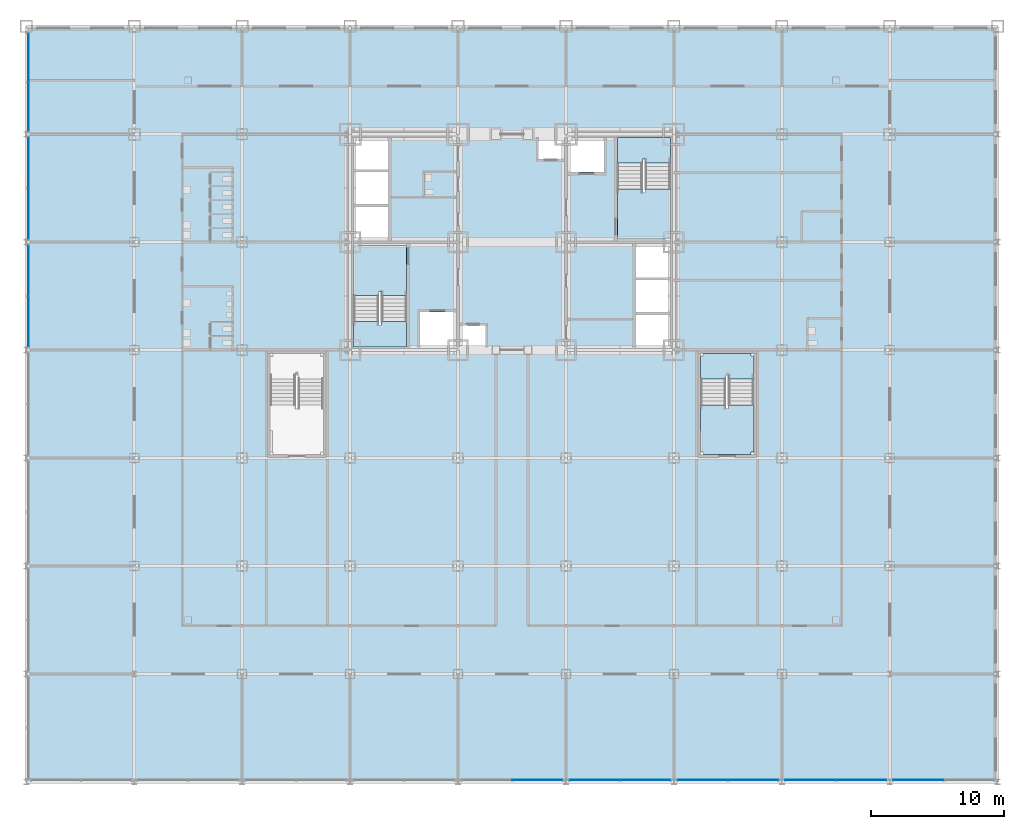
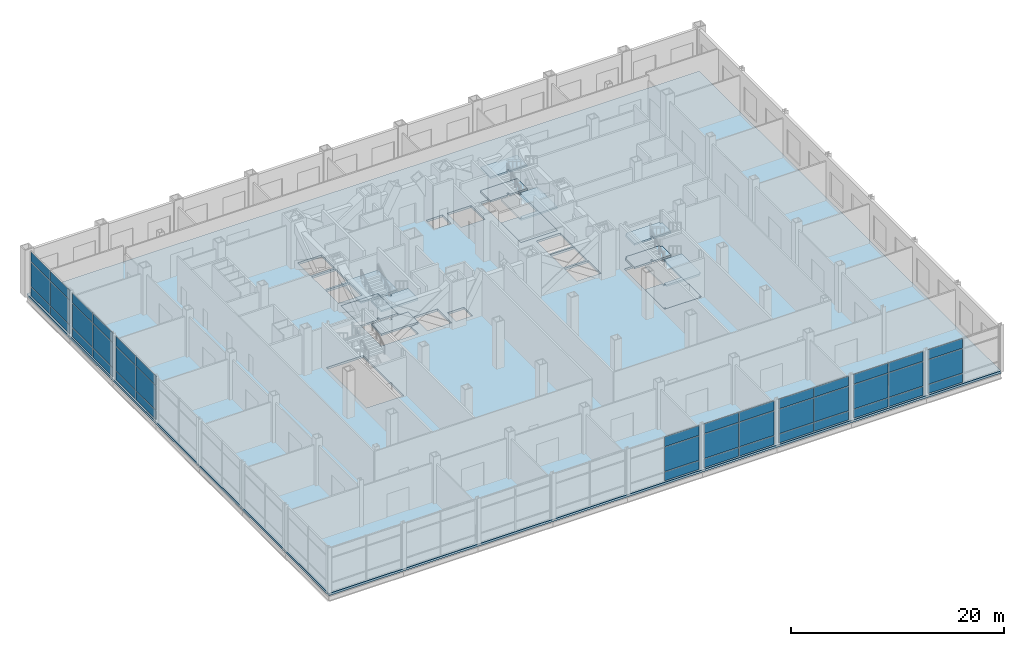
# One storey, part 19 of 30: 42 plates, 13 slabs, 11 elements without a shape of their own.
"""IFC4 building model written with IfcOpenShell, lengths in metres."""

from ifc_helpers import new_model, si_unit, direction, frame, origin, origin_2d, place, context, subcontext, project, spatial, polyline, rectangle, outline, extrude, material, layer, layer_set, type_object, element, aggregate, save


model = new_model("IFC4")

# Units and contexts
model_context = context("Model", 3, precision=1e-05, world=origin(), true_north=direction((0.0, 1.0)))
body_context = subcontext(model_context, "Body", "Model", "MODEL_VIEW")
ifc_project = project(units=[si_unit("LENGTHUNIT", "METRE"), si_unit("AREAUNIT", "SQUARE_METRE"), si_unit("VOLUMEUNIT", "CUBIC_METRE"), si_unit("PLANEANGLEUNIT", "RADIAN"), si_unit("MASSUNIT", "GRAM", prefix="KILO")], contexts=[model_context])

# Site, building, storey
site_placement = place(None, origin())
site = spatial("IfcSite", under=ifc_project, at=site_placement, CompositionType="ELEMENT")
building_placement = place(site_placement, origin())
building = spatial("IfcBuilding", under=site, at=building_placement, Name="Kopane Lantern Tower", CompositionType="ELEMENT")
storey_placement = place(building_placement, frame((0.0, 0.0, 6.0)))
storey = spatial("IfcBuildingStorey", under=building, at=storey_placement, Name="L01", CompositionType="ELEMENT", Elevation=6.0)

# Curtain wall, plates
ifc_material_1 = material(Name="Aluminium and clear glass", Category="aluminium")
curtain_wall_type = type_object("IfcCurtainWallType", Name="CURTAIN WALL CW1 PODIUM STOREFRONT", PredefinedType="USERDEFINED", material=ifc_material_1)
curtain_wall_1_placement = place(storey_placement, origin())
curtain_wall_1 = element("IfcCurtainWall", 1, at=curtain_wall_1_placement, inside=storey, type_object=curtain_wall_type, Name="Curtain wall CW1 S L01", ObjectType="CURTAIN WALL", PredefinedType="USERDEFINED")
ifc_material_2 = material(Name="Insulated clear glass unit", Category="glass")
ifc_layer_1 = layer(ifc_material_2, 0.031982421875)
ifc_layer_set_1 = layer_set([ifc_layer_1], Name="CURTAIN PANEL CW1-P 32")
plate_type = type_object("IfcPlateType", Name="CURTAIN PANEL CW1-P 32", PredefinedType="CURTAIN_PANEL", material=ifc_layer_set_1)
plate_1_placement = place(storey_placement, frame((30.255615234375, -7.949951171875, 0.06494140625), z_axis=(0.0, 0.0, 1.0), x_axis=(1.0, 0.0, 0.0)))
plate_1 = element("IfcPlate", 2, at=plate_1_placement, type_object=plate_type, Name="CW1 panel 2.1", PredefinedType="CURTAIN_PANEL", context=body_context, shape_type="SweptSolid", body=[
    extrude(rectangle(XDim=3.74609375, YDim=0.031982421875, at=origin_2d()), origin(), (0.0, 0.0, 1.0), 1.00244140625),
])
plate_2_placement = place(storey_placement, frame((30.255615234375, -7.949951171875, 1.13232421875), z_axis=(0.0, 0.0, 1.0), x_axis=(1.0, 0.0, 0.0)))
plate_2 = element("IfcPlate", 3, at=plate_2_placement, type_object=plate_type, Name="CW1 panel 2.2", PredefinedType="CURTAIN_PANEL", context=body_context, shape_type="SweptSolid", body=[
    extrude(rectangle(XDim=3.74609375, YDim=0.031982421875, at=origin_2d()), origin(), (0.0, 0.0, 1.0), 2.784912109375),
])
plate_3_placement = place(storey_placement, frame((30.255615234375, -7.949951171875, 3.982421875), z_axis=(0.0, 0.0, 1.0), x_axis=(1.0, 0.0, 0.0)))
plate_3 = element("IfcPlate", 4, at=plate_3_placement, type_object=plate_type, Name="CW1 panel 2.3", PredefinedType="CURTAIN_PANEL", context=body_context, shape_type="SweptSolid", body=[
    extrude(rectangle(XDim=3.74609375, YDim=0.031982421875, at=origin_2d()), origin(), (0.0, 0.0, 1.0), 1.1025390625),
])
aggregate(curtain_wall_1, [plate_1, plate_2, plate_3])

curtain_wall_2_placement = place(storey_placement, origin())
curtain_wall_2 = element("IfcCurtainWall", 5, at=curtain_wall_2_placement, inside=storey, type_object=curtain_wall_type, Name="Curtain wall CW1 S L01", ObjectType="CURTAIN WALL", PredefinedType="USERDEFINED")
plate_4_placement = place(storey_placement, frame((34.54443359375, -7.949951171875, 0.06494140625), z_axis=(0.0, 0.0, 1.0), x_axis=(1.0, 0.0, 0.0)))
plate_4 = element("IfcPlate", 6, at=plate_4_placement, type_object=plate_type, Name="CW1 panel 1.1", PredefinedType="CURTAIN_PANEL", context=body_context, shape_type="SweptSolid", body=[
    extrude(rectangle(XDim=3.74609375, YDim=0.031982421875, at=origin_2d()), origin(), (0.0, 0.0, 1.0), 1.00244140625),
])
plate_5_placement = place(storey_placement, frame((34.54443359375, -7.949951171875, 1.13232421875), z_axis=(0.0, 0.0, 1.0), x_axis=(1.0, 0.0, 0.0)))
plate_5 = element("IfcPlate", 7, at=plate_5_placement, type_object=plate_type, Name="CW1 panel 1.2", PredefinedType="CURTAIN_PANEL", context=body_context, shape_type="SweptSolid", body=[
    extrude(rectangle(XDim=3.74609375, YDim=0.031982421875, at=origin_2d()), origin(), (0.0, 0.0, 1.0), 2.784912109375),
])
plate_6_placement = place(storey_placement, frame((34.54443359375, -7.949951171875, 3.982421875), z_axis=(0.0, 0.0, 1.0), x_axis=(1.0, 0.0, 0.0)))
plate_6 = element("IfcPlate", 8, at=plate_6_placement, type_object=plate_type, Name="CW1 panel 1.3", PredefinedType="CURTAIN_PANEL", context=body_context, shape_type="SweptSolid", body=[
    extrude(rectangle(XDim=3.74609375, YDim=0.031982421875, at=origin_2d()), origin(), (0.0, 0.0, 1.0), 1.1025390625),
])
plate_7_placement = place(storey_placement, frame((38.35546875, -7.949951171875, 0.06494140625), z_axis=(0.0, 0.0, 1.0), x_axis=(1.0, 0.0, 0.0)))
plate_7 = element("IfcPlate", 9, at=plate_7_placement, type_object=plate_type, Name="CW1 panel 2.1", PredefinedType="CURTAIN_PANEL", context=body_context, shape_type="SweptSolid", body=[
    extrude(rectangle(XDim=3.74609375, YDim=0.031982421875, at=origin_2d()), origin(), (0.0, 0.0, 1.0), 1.00244140625),
])
plate_8_placement = place(storey_placement, frame((38.35546875, -7.949951171875, 1.13232421875), z_axis=(0.0, 0.0, 1.0), x_axis=(1.0, 0.0, 0.0)))
plate_8 = element("IfcPlate", 10, at=plate_8_placement, type_object=plate_type, Name="CW1 panel 2.2", PredefinedType="CURTAIN_PANEL", context=body_context, shape_type="SweptSolid", body=[
    extrude(rectangle(XDim=3.74609375, YDim=0.031982421875, at=origin_2d()), origin(), (0.0, 0.0, 1.0), 2.784912109375),
])
plate_9_placement = place(storey_placement, frame((38.35546875, -7.949951171875, 3.982421875), z_axis=(0.0, 0.0, 1.0), x_axis=(1.0, 0.0, 0.0)))
plate_9 = element("IfcPlate", 11, at=plate_9_placement, type_object=plate_type, Name="CW1 panel 2.3", PredefinedType="CURTAIN_PANEL", context=body_context, shape_type="SweptSolid", body=[
    extrude(rectangle(XDim=3.74609375, YDim=0.031982421875, at=origin_2d()), origin(), (0.0, 0.0, 1.0), 1.1025390625),
])
aggregate(curtain_wall_2, [plate_4, plate_5, plate_6, plate_7, plate_8, plate_9])

curtain_wall_3_placement = place(storey_placement, origin())
curtain_wall_3 = element("IfcCurtainWall", 12, at=curtain_wall_3_placement, inside=storey, type_object=curtain_wall_type, Name="Curtain wall CW1 S L01", ObjectType="CURTAIN WALL", PredefinedType="USERDEFINED")
plate_10_placement = place(storey_placement, frame((42.64453125, -7.949951171875, 0.06494140625), z_axis=(0.0, 0.0, 1.0), x_axis=(1.0, 0.0, 0.0)))
plate_10 = element("IfcPlate", 13, at=plate_10_placement, type_object=plate_type, Name="CW1 panel 1.1", PredefinedType="CURTAIN_PANEL", context=body_context, shape_type="SweptSolid", body=[
    extrude(rectangle(XDim=3.74609375, YDim=0.031982421875, at=origin_2d()), origin(), (0.0, 0.0, 1.0), 1.00244140625),
])
plate_11_placement = place(storey_placement, frame((42.64453125, -7.949951171875, 1.13232421875), z_axis=(0.0, 0.0, 1.0), x_axis=(1.0, 0.0, 0.0)))
plate_11 = element("IfcPlate", 14, at=plate_11_placement, type_object=plate_type, Name="CW1 panel 1.2", PredefinedType="CURTAIN_PANEL", context=body_context, shape_type="SweptSolid", body=[
    extrude(rectangle(XDim=3.74609375, YDim=0.031982421875, at=origin_2d()), origin(), (0.0, 0.0, 1.0), 2.784912109375),
])
plate_12_placement = place(storey_placement, frame((42.64453125, -7.949951171875, 3.982421875), z_axis=(0.0, 0.0, 1.0), x_axis=(1.0, 0.0, 0.0)))
plate_12 = element("IfcPlate", 15, at=plate_12_placement, type_object=plate_type, Name="CW1 panel 1.3", PredefinedType="CURTAIN_PANEL", context=body_context, shape_type="SweptSolid", body=[
    extrude(rectangle(XDim=3.74609375, YDim=0.031982421875, at=origin_2d()), origin(), (0.0, 0.0, 1.0), 1.1025390625),
])
plate_13_placement = place(storey_placement, frame((46.45556640625, -7.949951171875, 0.06494140625), z_axis=(0.0, 0.0, 1.0), x_axis=(1.0, 0.0, 0.0)))
plate_13 = element("IfcPlate", 16, at=plate_13_placement, type_object=plate_type, Name="CW1 panel 2.1", PredefinedType="CURTAIN_PANEL", context=body_context, shape_type="SweptSolid", body=[
    extrude(rectangle(XDim=3.74609375, YDim=0.031982421875, at=origin_2d()), origin(), (0.0, 0.0, 1.0), 1.00244140625),
])
plate_14_placement = place(storey_placement, frame((46.45556640625, -7.949951171875, 1.13232421875), z_axis=(0.0, 0.0, 1.0), x_axis=(1.0, 0.0, 0.0)))
plate_14 = element("IfcPlate", 17, at=plate_14_placement, type_object=plate_type, Name="CW1 panel 2.2", PredefinedType="CURTAIN_PANEL", context=body_context, shape_type="SweptSolid", body=[
    extrude(rectangle(XDim=3.74609375, YDim=0.031982421875, at=origin_2d()), origin(), (0.0, 0.0, 1.0), 2.784912109375),
])
plate_15_placement = place(storey_placement, frame((46.45556640625, -7.949951171875, 3.982421875), z_axis=(0.0, 0.0, 1.0), x_axis=(1.0, 0.0, 0.0)))
plate_15 = element("IfcPlate", 18, at=plate_15_placement, type_object=plate_type, Name="CW1 panel 2.3", PredefinedType="CURTAIN_PANEL", context=body_context, shape_type="SweptSolid", body=[
    extrude(rectangle(XDim=3.74609375, YDim=0.031982421875, at=origin_2d()), origin(), (0.0, 0.0, 1.0), 1.1025390625),
])
aggregate(curtain_wall_3, [plate_10, plate_11, plate_12, plate_13, plate_14, plate_15])

curtain_wall_4_placement = place(storey_placement, origin())
curtain_wall_4 = element("IfcCurtainWall", 19, at=curtain_wall_4_placement, inside=storey, type_object=curtain_wall_type, Name="Curtain wall CW1 S L01", ObjectType="CURTAIN WALL", PredefinedType="USERDEFINED")
plate_16_placement = place(storey_placement, frame((50.744384765625, -7.949951171875, 0.06494140625), z_axis=(0.0, 0.0, 1.0), x_axis=(1.0, 0.0, 0.0)))
plate_16 = element("IfcPlate", 20, at=plate_16_placement, type_object=plate_type, Name="CW1 panel 1.1", PredefinedType="CURTAIN_PANEL", context=body_context, shape_type="SweptSolid", body=[
    extrude(rectangle(XDim=3.74609375, YDim=0.031982421875, at=origin_2d()), origin(), (0.0, 0.0, 1.0), 1.00244140625),
])
plate_17_placement = place(storey_placement, frame((50.744384765625, -7.949951171875, 1.13232421875), z_axis=(0.0, 0.0, 1.0), x_axis=(1.0, 0.0, 0.0)))
plate_17 = element("IfcPlate", 21, at=plate_17_placement, type_object=plate_type, Name="CW1 panel 1.2", PredefinedType="CURTAIN_PANEL", context=body_context, shape_type="SweptSolid", body=[
    extrude(rectangle(XDim=3.74609375, YDim=0.031982421875, at=origin_2d()), origin(), (0.0, 0.0, 1.0), 2.784912109375),
])
plate_18_placement = place(storey_placement, frame((50.744384765625, -7.949951171875, 3.982421875), z_axis=(0.0, 0.0, 1.0), x_axis=(1.0, 0.0, 0.0)))
plate_18 = element("IfcPlate", 22, at=plate_18_placement, type_object=plate_type, Name="CW1 panel 1.3", PredefinedType="CURTAIN_PANEL", context=body_context, shape_type="SweptSolid", body=[
    extrude(rectangle(XDim=3.74609375, YDim=0.031982421875, at=origin_2d()), origin(), (0.0, 0.0, 1.0), 1.1025390625),
])
plate_19_placement = place(storey_placement, frame((54.555419921875, -7.949951171875, 0.06494140625), z_axis=(0.0, 0.0, 1.0), x_axis=(1.0, 0.0, 0.0)))
plate_19 = element("IfcPlate", 23, at=plate_19_placement, type_object=plate_type, Name="CW1 panel 2.1", PredefinedType="CURTAIN_PANEL", context=body_context, shape_type="SweptSolid", body=[
    extrude(rectangle(XDim=3.74609375, YDim=0.031982421875, at=origin_2d()), origin(), (0.0, 0.0, 1.0), 1.00244140625),
])
plate_20_placement = place(storey_placement, frame((54.555419921875, -7.949951171875, 1.13232421875), z_axis=(0.0, 0.0, 1.0), x_axis=(1.0, 0.0, 0.0)))
plate_20 = element("IfcPlate", 24, at=plate_20_placement, type_object=plate_type, Name="CW1 panel 2.2", PredefinedType="CURTAIN_PANEL", context=body_context, shape_type="SweptSolid", body=[
    extrude(rectangle(XDim=3.74609375, YDim=0.031982421875, at=origin_2d()), origin(), (0.0, 0.0, 1.0), 2.784912109375),
])
plate_21_placement = place(storey_placement, frame((54.555419921875, -7.949951171875, 3.982421875), z_axis=(0.0, 0.0, 1.0), x_axis=(1.0, 0.0, 0.0)))
plate_21 = element("IfcPlate", 25, at=plate_21_placement, type_object=plate_type, Name="CW1 panel 2.3", PredefinedType="CURTAIN_PANEL", context=body_context, shape_type="SweptSolid", body=[
    extrude(rectangle(XDim=3.74609375, YDim=0.031982421875, at=origin_2d()), origin(), (0.0, 0.0, 1.0), 1.1025390625),
])
aggregate(curtain_wall_4, [plate_16, plate_17, plate_18, plate_19, plate_20, plate_21])

curtain_wall_5_placement = place(storey_placement, origin())
curtain_wall_5 = element("IfcCurtainWall", 26, at=curtain_wall_5_placement, inside=storey, type_object=curtain_wall_type, Name="Curtain wall CW1 S L01", ObjectType="CURTAIN WALL", PredefinedType="USERDEFINED")
plate_22_placement = place(storey_placement, frame((58.844482421875, -7.949951171875, 0.06494140625), z_axis=(0.0, 0.0, 1.0), x_axis=(1.0, 0.0, 0.0)))
plate_22 = element("IfcPlate", 27, at=plate_22_placement, type_object=plate_type, Name="CW1 panel 1.1", PredefinedType="CURTAIN_PANEL", context=body_context, shape_type="SweptSolid", body=[
    extrude(rectangle(XDim=3.74609375, YDim=0.031982421875, at=origin_2d()), origin(), (0.0, 0.0, 1.0), 1.00244140625),
])
plate_23_placement = place(storey_placement, frame((58.844482421875, -7.949951171875, 1.13232421875), z_axis=(0.0, 0.0, 1.0), x_axis=(1.0, 0.0, 0.0)))
plate_23 = element("IfcPlate", 28, at=plate_23_placement, type_object=plate_type, Name="CW1 panel 1.2", PredefinedType="CURTAIN_PANEL", context=body_context, shape_type="SweptSolid", body=[
    extrude(rectangle(XDim=3.74609375, YDim=0.031982421875, at=origin_2d()), origin(), (0.0, 0.0, 1.0), 2.784912109375),
])
plate_24_placement = place(storey_placement, frame((58.844482421875, -7.949951171875, 3.982421875), z_axis=(0.0, 0.0, 1.0), x_axis=(1.0, 0.0, 0.0)))
plate_24 = element("IfcPlate", 29, at=plate_24_placement, type_object=plate_type, Name="CW1 panel 1.3", PredefinedType="CURTAIN_PANEL", context=body_context, shape_type="SweptSolid", body=[
    extrude(rectangle(XDim=3.74609375, YDim=0.031982421875, at=origin_2d()), origin(), (0.0, 0.0, 1.0), 1.1025390625),
])
aggregate(curtain_wall_5, [plate_22, plate_23, plate_24])

curtain_wall_6_placement = place(storey_placement, origin())
curtain_wall_6 = element("IfcCurtainWall", 30, at=curtain_wall_6_placement, inside=storey, type_object=curtain_wall_type, Name="Curtain wall CW1 W L01", ObjectType="CURTAIN WALL", PredefinedType="USERDEFINED")
plate_25_placement = place(storey_placement, frame((-7.949951171875, 46.250732421875, 0.06494140625), z_axis=(0.0, 0.0, 1.0), x_axis=(0.0, -1.0, 0.0)))
plate_25 = element("IfcPlate", 31, at=plate_25_placement, type_object=plate_type, Name="CW1 panel 1.1", PredefinedType="CURTAIN_PANEL", context=body_context, shape_type="SweptSolid", body=[
    extrude(rectangle(XDim=3.6083984375, YDim=0.031982421875, at=origin_2d()), origin(), (0.0, 0.0, 1.0), 1.00244140625),
])
plate_26_placement = place(storey_placement, frame((-7.949951171875, 46.250732421875, 1.13232421875), z_axis=(0.0, 0.0, 1.0), x_axis=(0.0, -1.0, 0.0)))
plate_26 = element("IfcPlate", 32, at=plate_26_placement, type_object=plate_type, Name="CW1 panel 1.2", PredefinedType="CURTAIN_PANEL", context=body_context, shape_type="SweptSolid", body=[
    extrude(rectangle(XDim=3.6083984375, YDim=0.031982421875, at=origin_2d()), origin(), (0.0, 0.0, 1.0), 2.784912109375),
])
plate_27_placement = place(storey_placement, frame((-7.949951171875, 46.250732421875, 3.982421875), z_axis=(0.0, 0.0, 1.0), x_axis=(0.0, -1.0, 0.0)))
plate_27 = element("IfcPlate", 33, at=plate_27_placement, type_object=plate_type, Name="CW1 panel 1.3", PredefinedType="CURTAIN_PANEL", context=body_context, shape_type="SweptSolid", body=[
    extrude(rectangle(XDim=3.6083984375, YDim=0.031982421875, at=origin_2d()), origin(), (0.0, 0.0, 1.0), 1.1025390625),
])
plate_28_placement = place(storey_placement, frame((-7.949951171875, 42.577392578125, 0.06494140625), z_axis=(0.0, 0.0, 1.0), x_axis=(0.0, -1.0, 0.0)))
plate_28 = element("IfcPlate", 34, at=plate_28_placement, type_object=plate_type, Name="CW1 panel 2.1", PredefinedType="CURTAIN_PANEL", context=body_context, shape_type="SweptSolid", body=[
    extrude(rectangle(XDim=3.6083984375, YDim=0.031982421875, at=origin_2d()), origin(), (0.0, 0.0, 1.0), 1.00244140625),
])
plate_29_placement = place(storey_placement, frame((-7.949951171875, 42.577392578125, 1.13232421875), z_axis=(0.0, 0.0, 1.0), x_axis=(0.0, -1.0, 0.0)))
plate_29 = element("IfcPlate", 35, at=plate_29_placement, type_object=plate_type, Name="CW1 panel 2.2", PredefinedType="CURTAIN_PANEL", context=body_context, shape_type="SweptSolid", body=[
    extrude(rectangle(XDim=3.6083984375, YDim=0.031982421875, at=origin_2d()), origin(), (0.0, 0.0, 1.0), 2.784912109375),
])
plate_30_placement = place(storey_placement, frame((-7.949951171875, 42.577392578125, 3.982421875), z_axis=(0.0, 0.0, 1.0), x_axis=(0.0, -1.0, 0.0)))
plate_30 = element("IfcPlate", 36, at=plate_30_placement, type_object=plate_type, Name="CW1 panel 2.3", PredefinedType="CURTAIN_PANEL", context=body_context, shape_type="SweptSolid", body=[
    extrude(rectangle(XDim=3.6083984375, YDim=0.031982421875, at=origin_2d()), origin(), (0.0, 0.0, 1.0), 1.1025390625),
])
aggregate(curtain_wall_6, [plate_25, plate_26, plate_27, plate_28, plate_29, plate_30])

curtain_wall_7_placement = place(storey_placement, origin())
curtain_wall_7 = element("IfcCurtainWall", 37, at=curtain_wall_7_placement, inside=storey, type_object=curtain_wall_type, Name="Curtain wall CW1 W L01", ObjectType="CURTAIN WALL", PredefinedType="USERDEFINED")
plate_31_placement = place(storey_placement, frame((-7.949951171875, 38.354736328125, 0.06494140625), z_axis=(0.0, 0.0, 1.0), x_axis=(0.0, -1.0, 0.0)))
plate_31 = element("IfcPlate", 38, at=plate_31_placement, type_object=plate_type, Name="CW1 panel 1.1", PredefinedType="CURTAIN_PANEL", context=body_context, shape_type="SweptSolid", body=[
    extrude(rectangle(XDim=3.744384765625, YDim=0.031982421875, at=origin_2d()), origin(), (0.0, 0.0, 1.0), 1.00244140625),
])
plate_32_placement = place(storey_placement, frame((-7.949951171875, 38.354736328125, 1.13232421875), z_axis=(0.0, 0.0, 1.0), x_axis=(0.0, -1.0, 0.0)))
plate_32 = element("IfcPlate", 39, at=plate_32_placement, type_object=plate_type, Name="CW1 panel 1.2", PredefinedType="CURTAIN_PANEL", context=body_context, shape_type="SweptSolid", body=[
    extrude(rectangle(XDim=3.744384765625, YDim=0.031982421875, at=origin_2d()), origin(), (0.0, 0.0, 1.0), 2.784912109375),
])
plate_33_placement = place(storey_placement, frame((-7.949951171875, 38.354736328125, 3.982421875), z_axis=(0.0, 0.0, 1.0), x_axis=(0.0, -1.0, 0.0)))
plate_33 = element("IfcPlate", 40, at=plate_33_placement, type_object=plate_type, Name="CW1 panel 1.3", PredefinedType="CURTAIN_PANEL", context=body_context, shape_type="SweptSolid", body=[
    extrude(rectangle(XDim=3.744384765625, YDim=0.031982421875, at=origin_2d()), origin(), (0.0, 0.0, 1.0), 1.1025390625),
])
plate_34_placement = place(storey_placement, frame((-7.949951171875, 34.54541015625, 0.06494140625), z_axis=(0.0, 0.0, 1.0), x_axis=(0.0, -1.0, 0.0)))
plate_34 = element("IfcPlate", 41, at=plate_34_placement, type_object=plate_type, Name="CW1 panel 2.1", PredefinedType="CURTAIN_PANEL", context=body_context, shape_type="SweptSolid", body=[
    extrude(rectangle(XDim=3.744384765625, YDim=0.031982421875, at=origin_2d()), origin(), (0.0, 0.0, 1.0), 1.00244140625),
])
plate_35_placement = place(storey_placement, frame((-7.949951171875, 34.54541015625, 1.13232421875), z_axis=(0.0, 0.0, 1.0), x_axis=(0.0, -1.0, 0.0)))
plate_35 = element("IfcPlate", 42, at=plate_35_placement, type_object=plate_type, Name="CW1 panel 2.2", PredefinedType="CURTAIN_PANEL", context=body_context, shape_type="SweptSolid", body=[
    extrude(rectangle(XDim=3.744384765625, YDim=0.031982421875, at=origin_2d()), origin(), (0.0, 0.0, 1.0), 2.784912109375),
])
plate_36_placement = place(storey_placement, frame((-7.949951171875, 34.54541015625, 3.982421875), z_axis=(0.0, 0.0, 1.0), x_axis=(0.0, -1.0, 0.0)))
plate_36 = element("IfcPlate", 43, at=plate_36_placement, type_object=plate_type, Name="CW1 panel 2.3", PredefinedType="CURTAIN_PANEL", context=body_context, shape_type="SweptSolid", body=[
    extrude(rectangle(XDim=3.744384765625, YDim=0.031982421875, at=origin_2d()), origin(), (0.0, 0.0, 1.0), 1.1025390625),
])
aggregate(curtain_wall_7, [plate_31, plate_32, plate_33, plate_34, plate_35, plate_36])

curtain_wall_8_placement = place(storey_placement, origin())
curtain_wall_8 = element("IfcCurtainWall", 44, at=curtain_wall_8_placement, inside=storey, type_object=curtain_wall_type, Name="Curtain wall CW1 W L01", ObjectType="CURTAIN WALL", PredefinedType="USERDEFINED")
plate_37_placement = place(storey_placement, frame((-7.949951171875, 30.254638671875, 0.06494140625), z_axis=(0.0, 0.0, 1.0), x_axis=(0.0, -1.0, 0.0)))
plate_37 = element("IfcPlate", 45, at=plate_37_placement, type_object=plate_type, Name="CW1 panel 1.1", PredefinedType="CURTAIN_PANEL", context=body_context, shape_type="SweptSolid", body=[
    extrude(rectangle(XDim=3.744384765625, YDim=0.031982421875, at=origin_2d()), origin(), (0.0, 0.0, 1.0), 1.00244140625),
])
plate_38_placement = place(storey_placement, frame((-7.949951171875, 30.254638671875, 1.13232421875), z_axis=(0.0, 0.0, 1.0), x_axis=(0.0, -1.0, 0.0)))
plate_38 = element("IfcPlate", 46, at=plate_38_placement, type_object=plate_type, Name="CW1 panel 1.2", PredefinedType="CURTAIN_PANEL", context=body_context, shape_type="SweptSolid", body=[
    extrude(rectangle(XDim=3.744384765625, YDim=0.031982421875, at=origin_2d()), origin(), (0.0, 0.0, 1.0), 2.784912109375),
])
plate_39_placement = place(storey_placement, frame((-7.949951171875, 30.254638671875, 3.982421875), z_axis=(0.0, 0.0, 1.0), x_axis=(0.0, -1.0, 0.0)))
plate_39 = element("IfcPlate", 47, at=plate_39_placement, type_object=plate_type, Name="CW1 panel 1.3", PredefinedType="CURTAIN_PANEL", context=body_context, shape_type="SweptSolid", body=[
    extrude(rectangle(XDim=3.744384765625, YDim=0.031982421875, at=origin_2d()), origin(), (0.0, 0.0, 1.0), 1.1025390625),
])
plate_40_placement = place(storey_placement, frame((-7.949951171875, 26.4453125, 0.06494140625), z_axis=(0.0, 0.0, 1.0), x_axis=(0.0, -1.0, 0.0)))
plate_40 = element("IfcPlate", 48, at=plate_40_placement, type_object=plate_type, Name="CW1 panel 2.1", PredefinedType="CURTAIN_PANEL", context=body_context, shape_type="SweptSolid", body=[
    extrude(rectangle(XDim=3.744384765625, YDim=0.031982421875, at=origin_2d()), origin(), (0.0, 0.0, 1.0), 1.00244140625),
])
plate_41_placement = place(storey_placement, frame((-7.949951171875, 26.4453125, 1.13232421875), z_axis=(0.0, 0.0, 1.0), x_axis=(0.0, -1.0, 0.0)))
plate_41 = element("IfcPlate", 49, at=plate_41_placement, type_object=plate_type, Name="CW1 panel 2.2", PredefinedType="CURTAIN_PANEL", context=body_context, shape_type="SweptSolid", body=[
    extrude(rectangle(XDim=3.744384765625, YDim=0.031982421875, at=origin_2d()), origin(), (0.0, 0.0, 1.0), 2.784912109375),
])
plate_42_placement = place(storey_placement, frame((-7.949951171875, 26.4453125, 3.982421875), z_axis=(0.0, 0.0, 1.0), x_axis=(0.0, -1.0, 0.0)))
plate_42 = element("IfcPlate", 50, at=plate_42_placement, type_object=plate_type, Name="CW1 panel 2.3", PredefinedType="CURTAIN_PANEL", context=body_context, shape_type="SweptSolid", body=[
    extrude(rectangle(XDim=3.744384765625, YDim=0.031982421875, at=origin_2d()), origin(), (0.0, 0.0, 1.0), 1.1025390625),
])
aggregate(curtain_wall_8, [plate_37, plate_38, plate_39, plate_40, plate_41, plate_42])

# Slab
ifc_material_3 = material(Name="Concrete C40/50", Category="concrete")
ifc_layer_2 = layer(ifc_material_3, 0.25)
ifc_layer_set_2 = layer_set([ifc_layer_2], Name="SLAB 250 COMPOSITE")
slab_type_1 = type_object("IfcSlabType", Name="SLAB 250 COMPOSITE", PredefinedType="FLOOR", material=ifc_layer_set_2)
slab_1_placement = place(storey_placement, frame((0.0, 0.0, -0.25)))
element("IfcSlab", 51, at=slab_1_placement, inside=storey, type_object=slab_type_1, Name="Floor slab L01", PredefinedType="FLOOR", context=body_context, shape_type="SweptSolid", body=[
    extrude(outline(polyline([(-8.10009765625, -8.10009765625), (64.800048828125, -8.10009765625), (64.800048828125, 48.60009765625), (-8.10009765625, 48.60009765625), (-8.10009765625, -8.10009765625)]), holes=[polyline([(16.449951171875, 24.550048828125), (20.449951171875, 24.550048828125), (20.449951171875, 32.14990234375), (16.449951171875, 32.14990234375), (16.449951171875, 24.550048828125)]), polyline([(36.25, 32.64990234375), (40.25, 32.64990234375), (40.25, 40.25), (36.25, 40.25), (36.25, 32.64990234375)]), polyline([(16.449951171875, 32.64990234375), (19.050048828125, 32.64990234375), (19.050048828125, 35.050048828125), (16.449951171875, 35.050048828125), (16.449951171875, 32.64990234375)]), polyline([(16.449951171875, 35.25), (19.050048828125, 35.25), (19.050048828125, 37.64990234375), (16.449951171875, 37.64990234375), (16.449951171875, 35.25)]), polyline([(16.449951171875, 37.85009765625), (19.050048828125, 37.85009765625), (19.050048828125, 40.25), (16.449951171875, 40.25), (16.449951171875, 37.85009765625)]), polyline([(37.64990234375, 24.550048828125), (40.25, 24.550048828125), (40.25, 26.949951171875), (37.64990234375, 26.949951171875), (37.64990234375, 24.550048828125)]), polyline([(37.64990234375, 27.14990234375), (40.25, 27.14990234375), (40.25, 29.550048828125), (37.64990234375, 29.550048828125), (37.64990234375, 27.14990234375)]), polyline([(37.64990234375, 29.75), (40.25, 29.75), (40.25, 32.14990234375), (37.64990234375, 32.14990234375), (37.64990234375, 29.75)]), polyline([(21.449951171875, 24.550048828125), (24.050048828125, 24.550048828125), (24.050048828125, 27.14990234375), (21.449951171875, 27.14990234375), (21.449951171875, 24.550048828125)]), polyline([(32.64990234375, 37.64990234375), (35.25, 37.64990234375), (35.25, 40.25), (32.64990234375, 40.25), (32.64990234375, 37.64990234375)]), polyline([(24.550048828125, 24.550048828125), (26.35009765625, 24.550048828125), (26.35009765625, 26.14990234375), (24.550048828125, 26.14990234375), (24.550048828125, 24.550048828125)]), polyline([(30.35009765625, 38.64990234375), (32.14990234375, 38.64990234375), (32.14990234375, 40.25), (30.35009765625, 40.25), (30.35009765625, 38.64990234375)]), polyline([(10.199951171875, 16.449951171875), (14.199951171875, 16.449951171875), (14.199951171875, 24.050048828125), (10.199951171875, 24.050048828125), (10.199951171875, 16.449951171875)]), polyline([(42.5, 16.449951171875), (46.5, 16.449951171875), (46.5, 24.050048828125), (42.5, 24.050048828125), (42.5, 16.449951171875)])]), origin(), (0.0, 0.0, 1.0), 0.25),
])

# Stair, slabs
ifc_material_4 = material(Name="Steel S355JR", Category="steel")
stair_type = type_object("IfcStairType", Name="EXIT STAIR 1900 HALF TURN", PredefinedType="HALF_TURN_STAIR", material=ifc_material_4)
stair_1_placement = place(storey_placement, origin())
stair_1 = element("IfcStair", 52, at=stair_1_placement, inside=storey, type_object=stair_type, Name="Exit stair ST1 L01", PredefinedType="HALF_TURN_STAIR")
ifc_material_5 = material(Name="Concrete C40/50", Category="concrete")
ifc_layer_3 = layer(ifc_material_5, 0.199951171875)
ifc_layer_set_3 = layer_set([ifc_layer_3], Name="STAIR LANDING 200")
slab_type_2 = type_object("IfcSlabType", Name="STAIR LANDING 200", PredefinedType="LANDING", material=ifc_layer_set_3)
slab_2_placement = place(storey_placement, frame((0.0, 0.0, -0.199951171875)))
slab_2 = element("IfcSlab", 53, at=slab_2_placement, type_object=slab_type_2, Name="ST1 landing 1", PredefinedType="LANDING", context=body_context, shape_type="SweptSolid", body=[
    extrude(outline(polyline([(18.35009765625, 28.68994140625), (18.550048828125, 28.68994140625), (18.550048828125, 28.409912109375), (20.449951171875, 28.409912109375), (20.449951171875, 32.14990234375), (16.449951171875, 32.14990234375), (16.449951171875, 28.409912109375), (18.35009765625, 28.409912109375), (18.35009765625, 28.68994140625)])), origin(), (0.0, 0.0, 1.0), 0.199951171875),
])
slab_3_placement = place(storey_placement, frame((0.0, 0.0, 1.14990234375)))
slab_3 = element("IfcSlab", 54, at=slab_3_placement, type_object=slab_type_2, Name="ST1 landing 2", PredefinedType="LANDING", context=body_context, shape_type="SweptSolid", body=[
    extrude(outline(polyline([(20.449951171875, 26.449951171875), (18.550048828125, 26.449951171875), (18.550048828125, 26.169921875), (18.35009765625, 26.169921875), (18.35009765625, 26.449951171875), (16.449951171875, 26.449951171875), (16.449951171875, 24.550048828125), (20.449951171875, 24.550048828125), (20.449951171875, 26.449951171875)])), origin(), (0.0, 0.0, 1.0), 0.2001953125),
])
slab_4_placement = place(storey_placement, frame((0.0, 0.0, 2.5)))
slab_4 = element("IfcSlab", 55, at=slab_4_placement, type_object=slab_type_2, Name="ST1 landing 3", PredefinedType="LANDING", context=body_context, shape_type="SweptSolid", body=[
    extrude(outline(polyline([(18.35009765625, 28.68994140625), (18.550048828125, 28.68994140625), (18.550048828125, 28.409912109375), (20.449951171875, 28.409912109375), (20.449951171875, 32.14990234375), (16.449951171875, 32.14990234375), (16.449951171875, 28.409912109375), (18.35009765625, 28.409912109375), (18.35009765625, 28.68994140625)])), origin(), (0.0, 0.0, 1.0), 0.199951171875),
])
slab_5_placement = place(storey_placement, frame((0.0, 0.0, 3.85009765625)))
slab_5 = element("IfcSlab", 56, at=slab_5_placement, type_object=slab_type_2, Name="ST1 landing 4", PredefinedType="LANDING", context=body_context, shape_type="SweptSolid", body=[
    extrude(outline(polyline([(20.449951171875, 26.449951171875), (18.550048828125, 26.449951171875), (18.550048828125, 26.169921875), (18.35009765625, 26.169921875), (18.35009765625, 26.449951171875), (16.449951171875, 26.449951171875), (16.449951171875, 24.550048828125), (20.449951171875, 24.550048828125), (20.449951171875, 26.449951171875)])), origin(), (0.0, 0.0, 1.0), 0.199951171875),
])
aggregate(stair_1, [slab_2, slab_3, slab_4, slab_5])

stair_2_placement = place(storey_placement, origin())
stair_2 = element("IfcStair", 57, at=stair_2_placement, inside=storey, type_object=stair_type, Name="Exit stair ST2 L01", PredefinedType="HALF_TURN_STAIR")
slab_6_placement = place(storey_placement, frame((0.0, 0.0, -0.199951171875)))
slab_6 = element("IfcSlab", 58, at=slab_6_placement, type_object=slab_type_2, Name="ST2 landing 1", PredefinedType="LANDING", context=body_context, shape_type="SweptSolid", body=[
    extrude(outline(polyline([(40.25, 36.389892578125), (38.35009765625, 36.389892578125), (38.35009765625, 36.110107421875), (38.14990234375, 36.110107421875), (38.14990234375, 36.389892578125), (36.25, 36.389892578125), (36.25, 32.64990234375), (40.25, 32.64990234375), (40.25, 36.389892578125)])), origin(), (0.0, 0.0, 1.0), 0.199951171875),
])
slab_7_placement = place(storey_placement, frame((0.0, 0.0, 1.14990234375)))
slab_7 = element("IfcSlab", 59, at=slab_7_placement, type_object=slab_type_2, Name="ST2 landing 2", PredefinedType="LANDING", context=body_context, shape_type="SweptSolid", body=[
    extrude(outline(polyline([(38.14990234375, 38.6298828125), (38.35009765625, 38.6298828125), (38.35009765625, 38.35009765625), (40.25, 38.35009765625), (40.25, 40.25), (36.25, 40.25), (36.25, 38.35009765625), (38.14990234375, 38.35009765625), (38.14990234375, 38.6298828125)])), origin(), (0.0, 0.0, 1.0), 0.2001953125),
])
slab_8_placement = place(storey_placement, frame((0.0, 0.0, 2.5)))
slab_8 = element("IfcSlab", 60, at=slab_8_placement, type_object=slab_type_2, Name="ST2 landing 3", PredefinedType="LANDING", context=body_context, shape_type="SweptSolid", body=[
    extrude(outline(polyline([(40.25, 36.389892578125), (38.35009765625, 36.389892578125), (38.35009765625, 36.110107421875), (38.14990234375, 36.110107421875), (38.14990234375, 36.389892578125), (36.25, 36.389892578125), (36.25, 32.64990234375), (40.25, 32.64990234375), (40.25, 36.389892578125)])), origin(), (0.0, 0.0, 1.0), 0.199951171875),
])
slab_9_placement = place(storey_placement, frame((0.0, 0.0, 3.85009765625)))
slab_9 = element("IfcSlab", 61, at=slab_9_placement, type_object=slab_type_2, Name="ST2 landing 4", PredefinedType="LANDING", context=body_context, shape_type="SweptSolid", body=[
    extrude(outline(polyline([(38.14990234375, 38.6298828125), (38.35009765625, 38.6298828125), (38.35009765625, 38.35009765625), (40.25, 38.35009765625), (40.25, 40.25), (36.25, 40.25), (36.25, 38.35009765625), (38.14990234375, 38.35009765625), (38.14990234375, 38.6298828125)])), origin(), (0.0, 0.0, 1.0), 0.199951171875),
])
aggregate(stair_2, [slab_6, slab_7, slab_8, slab_9])

stair_3_placement = place(storey_placement, origin())
stair_3 = element("IfcStair", 62, at=stair_3_placement, inside=storey, type_object=stair_type, Name="Exit stair ST4 L01", PredefinedType="HALF_TURN_STAIR")
slab_10_placement = place(storey_placement, frame((0.0, 0.0, -0.199951171875)))
slab_10 = element("IfcSlab", 63, at=slab_10_placement, type_object=slab_type_2, Name="ST4 landing 1", PredefinedType="LANDING", context=body_context, shape_type="SweptSolid", body=[
    extrude(outline(polyline([(42.699951171875, 16.64990234375), (42.699951171875, 16.449951171875), (46.300048828125, 16.449951171875), (46.300048828125, 16.64990234375), (46.5, 16.64990234375), (46.5, 20.18994140625), (44.60009765625, 20.18994140625), (44.60009765625, 19.909912109375), (44.39990234375, 19.909912109375), (44.39990234375, 20.18994140625), (42.5, 20.18994140625), (42.5, 16.64990234375), (42.699951171875, 16.64990234375)])), origin(), (0.0, 0.0, 1.0), 0.199951171875),
])
slab_11_placement = place(storey_placement, frame((0.0, 0.0, 1.14990234375)))
slab_11 = element("IfcSlab", 64, at=slab_11_placement, type_object=slab_type_2, Name="ST4 landing 2", PredefinedType="LANDING", context=body_context, shape_type="SweptSolid", body=[
    extrude(outline(polyline([(42.699951171875, 23.85009765625), (42.5, 23.85009765625), (42.5, 22.14990234375), (44.39990234375, 22.14990234375), (44.39990234375, 22.429931640625), (44.60009765625, 22.429931640625), (44.60009765625, 22.14990234375), (46.5, 22.14990234375), (46.5, 23.85009765625), (46.300048828125, 23.85009765625), (46.300048828125, 24.050048828125), (42.699951171875, 24.050048828125), (42.699951171875, 23.85009765625)])), origin(), (0.0, 0.0, 1.0), 0.2001953125),
])
slab_12_placement = place(storey_placement, frame((0.0, 0.0, 2.5)))
slab_12 = element("IfcSlab", 65, at=slab_12_placement, type_object=slab_type_2, Name="ST4 landing 3", PredefinedType="LANDING", context=body_context, shape_type="SweptSolid", body=[
    extrude(outline(polyline([(42.699951171875, 16.64990234375), (42.699951171875, 16.449951171875), (46.300048828125, 16.449951171875), (46.300048828125, 16.64990234375), (46.5, 16.64990234375), (46.5, 20.18994140625), (44.60009765625, 20.18994140625), (44.60009765625, 19.909912109375), (44.39990234375, 19.909912109375), (44.39990234375, 20.18994140625), (42.5, 20.18994140625), (42.5, 16.64990234375), (42.699951171875, 16.64990234375)])), origin(), (0.0, 0.0, 1.0), 0.199951171875),
])
slab_13_placement = place(storey_placement, frame((0.0, 0.0, 3.85009765625)))
slab_13 = element("IfcSlab", 66, at=slab_13_placement, type_object=slab_type_2, Name="ST4 landing 4", PredefinedType="LANDING", context=body_context, shape_type="SweptSolid", body=[
    extrude(outline(polyline([(42.699951171875, 23.85009765625), (42.5, 23.85009765625), (42.5, 22.14990234375), (44.39990234375, 22.14990234375), (44.39990234375, 22.429931640625), (44.60009765625, 22.429931640625), (44.60009765625, 22.14990234375), (46.5, 22.14990234375), (46.5, 23.85009765625), (46.300048828125, 23.85009765625), (46.300048828125, 24.050048828125), (42.699951171875, 24.050048828125), (42.699951171875, 23.85009765625)])), origin(), (0.0, 0.0, 1.0), 0.199951171875),
])
aggregate(stair_3, [slab_10, slab_11, slab_12, slab_13])

save(model, "model.ifc")
